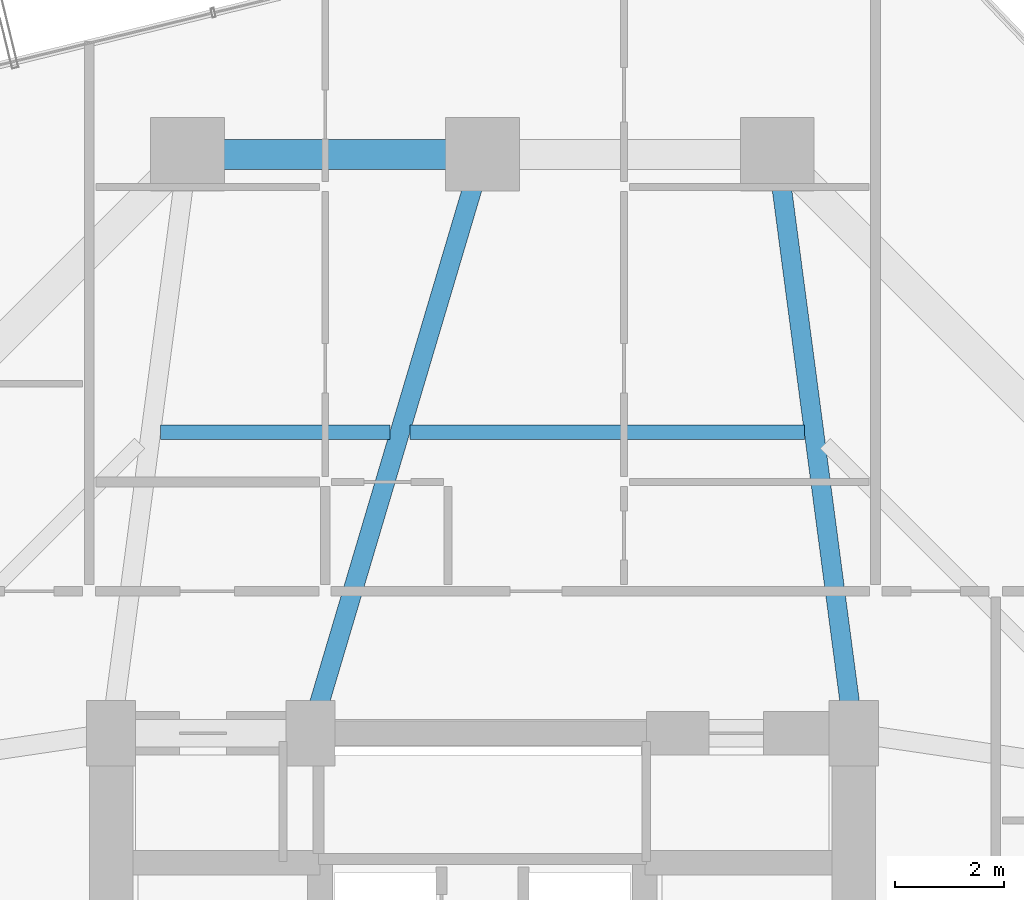
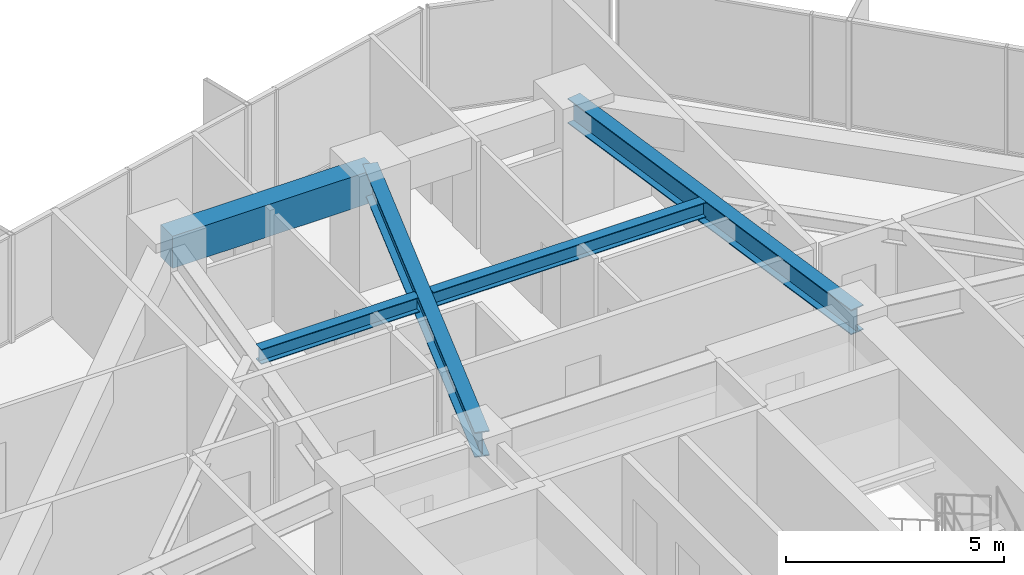
# One storey, part 23 of 37: 5 beams.
"""IFC4 building model written with IfcOpenShell, lengths in metres."""

from ifc_helpers import new_model, si_unit, direction, frame, origin, origin_2d, place, context, subcontext, project, spatial, rectangle, i_section, extrude, material, material_profile, profile_set, type_object, element, save


model = new_model("IFC4")

# Units and contexts
model_context = context("Model", 3, precision=1e-05, world=origin(), true_north=direction((0.0, 1.0)))
body_context = subcontext(model_context, "Body", "Model", "MODEL_VIEW")
ifc_project = project(units=[si_unit("LENGTHUNIT", "METRE"), si_unit("AREAUNIT", "SQUARE_METRE"), si_unit("VOLUMEUNIT", "CUBIC_METRE"), si_unit("PLANEANGLEUNIT", "RADIAN"), si_unit("MASSUNIT", "GRAM", prefix="KILO")], contexts=[model_context])

# Site, building, storey
site_placement = place(None, origin())
site = spatial("IfcSite", under=ifc_project, at=site_placement, CompositionType="ELEMENT")
building_placement = place(site_placement, origin())
building = spatial("IfcBuilding", under=site, at=building_placement, Name="Veraguas Prism Commons", CompositionType="ELEMENT")
storey_placement = place(building_placement, frame((0.0, 0.0, 70.60009765625)))
storey = spatial("IfcBuildingStorey", under=building, at=storey_placement, Name="L19", CompositionType="ELEMENT", Elevation=70.60009765625)

# Beams
ifc_material_1 = material(Name="Steel ASTM A992 Grade 50", Category="steel")
ifc_material_profile_1 = material_profile(ifc_material_1, i_section(OverallWidth=0.260986328125, OverallDepth=0.419921875, WebThickness=0.01171875, FlangeThickness=0.019287109375, at=origin_2d()), Name="W410X114")
ifc_profile_set_1 = profile_set([ifc_material_profile_1], Name="Steel ASTM A992 Grade 50")
beam_type_1 = type_object("IfcBeamType", Name="Lower Floor Joist W410x114", PredefinedType="JOIST", material=ifc_profile_set_1)
beam_1_placement = place(storey_placement, frame((29.89453125, 36.511962890625, 2.789794921875), z_axis=(-1.0, 0.0, 0.0), x_axis=(0.0, -1.0, 0.0)))
element("IfcBeam", 1, at=beam_1_placement, inside=storey, type_object=beam_type_1, Name="Composite Floor Joist L19-JS04", PredefinedType="JOIST", context=body_context, shape_type="SweptSolid", body=[
    extrude(i_section(OverallWidth=0.260986328125, OverallDepth=0.419921875, WebThickness=0.01171875, FlangeThickness=0.019287109375, at=origin_2d()), origin(), (0.0, 0.0, 1.0), 7.222900390625),
])
beam_2_placement = place(storey_placement, frame((22.304443359375, 36.511962890625, 2.789794921875), z_axis=(-1.0, 0.0, 0.0), x_axis=(0.0, -1.0, 0.0)))
element("IfcBeam", 2, at=beam_2_placement, inside=storey, type_object=beam_type_1, Name="Composite Floor Joist L19-JS05", PredefinedType="JOIST", context=body_context, shape_type="SweptSolid", body=[
    extrude(i_section(OverallWidth=0.260986328125, OverallDepth=0.419921875, WebThickness=0.01171875, FlangeThickness=0.019287109375, at=origin_2d()), origin(), (0.0, 0.0, 1.0), 4.198974609375),
])
ifc_material_2 = material(Name="Concrete C50/60", Category="concrete")
ifc_material_profile_2 = material_profile(ifc_material_2, rectangle(XDim=0.550048828125, YDim=0.89990234375, at=origin_2d()), Name="RC550X900")
ifc_profile_set_2 = profile_set([ifc_material_profile_2], Name="Concrete C50/60")
beam_type_2 = type_object("IfcBeamType", Name="Perimeter Spandrel Lower RC 550x900", PredefinedType="SPANDREL", material=ifc_profile_set_2)
beam_3_placement = place(storey_placement, frame((24.0, 41.60009765625, 2.5498046875), z_axis=(-1.0, 0.0, 0.0), x_axis=(0.0, -1.0, 0.0)))
element("IfcBeam", 3, at=beam_3_placement, inside=storey, type_object=beam_type_2, Name="Perimeter Spandrel Beam L19-SP05", PredefinedType="SPANDREL", context=body_context, shape_type="SweptSolid", body=[
    extrude(rectangle(XDim=0.550048828125, YDim=0.89990234375, at=origin_2d()), origin(), (0.0, 0.0, 1.0), 5.39990234375),
])
ifc_material_profile_3 = material_profile(ifc_material_1, i_section(OverallWidth=0.35595703125, OverallDepth=0.700927734375, WebThickness=0.016845703125, FlangeThickness=0.02734375, at=origin_2d()), Name="W690X240")
ifc_profile_set_3 = profile_set([ifc_material_profile_3], Name="Steel ASTM A992 Grade 50")
beam_type_3 = type_object("IfcBeamType", Name="Zone 1 Radial Girder W690x240", PredefinedType="BEAM", material=ifc_profile_set_3)
beam_4_placement = place(storey_placement, frame((29.39990234375, 41.60009765625, 2.6494140625), z_axis=(0.130950648891, -0.991388888154, 0.0), x_axis=(0.991388888154, 0.130950648891, 0.0)))
element("IfcBeam", 4, at=beam_4_placement, inside=storey, type_object=beam_type_3, Name="Radial Floor Girder L19-RD04", PredefinedType="BEAM", context=body_context, shape_type="SweptSolid", body=[
    extrude(i_section(OverallWidth=0.35595703125, OverallDepth=0.700927734375, WebThickness=0.016845703125, FlangeThickness=0.02734375, at=origin_2d()), origin(), (0.0, 0.0, 1.0), 10.692138671875),
])
beam_5_placement = place(storey_placement, frame((24.0, 41.60009765625, 2.6494140625), z_axis=(-0.28484745997, -0.958572858237, 0.0), x_axis=(0.958572858237, -0.28484745997, 0.0)))
element("IfcBeam", 5, at=beam_5_placement, inside=storey, type_object=beam_type_3, Name="Radial Floor Girder L19-RD05", PredefinedType="BEAM", context=body_context, shape_type="SweptSolid", body=[
    extrude(i_section(OverallWidth=0.35595703125, OverallDepth=0.700927734375, WebThickness=0.016845703125, FlangeThickness=0.02734375, at=origin_2d()), origin(), (0.0, 0.0, 1.0), 11.05810546875),
])

save(model, "model.ifc")
